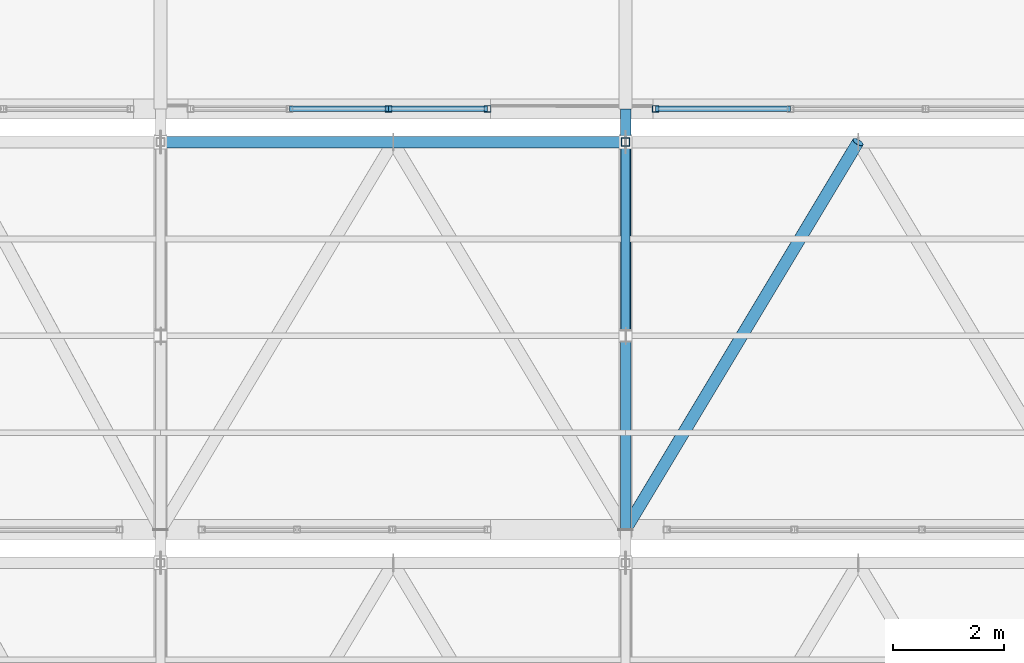
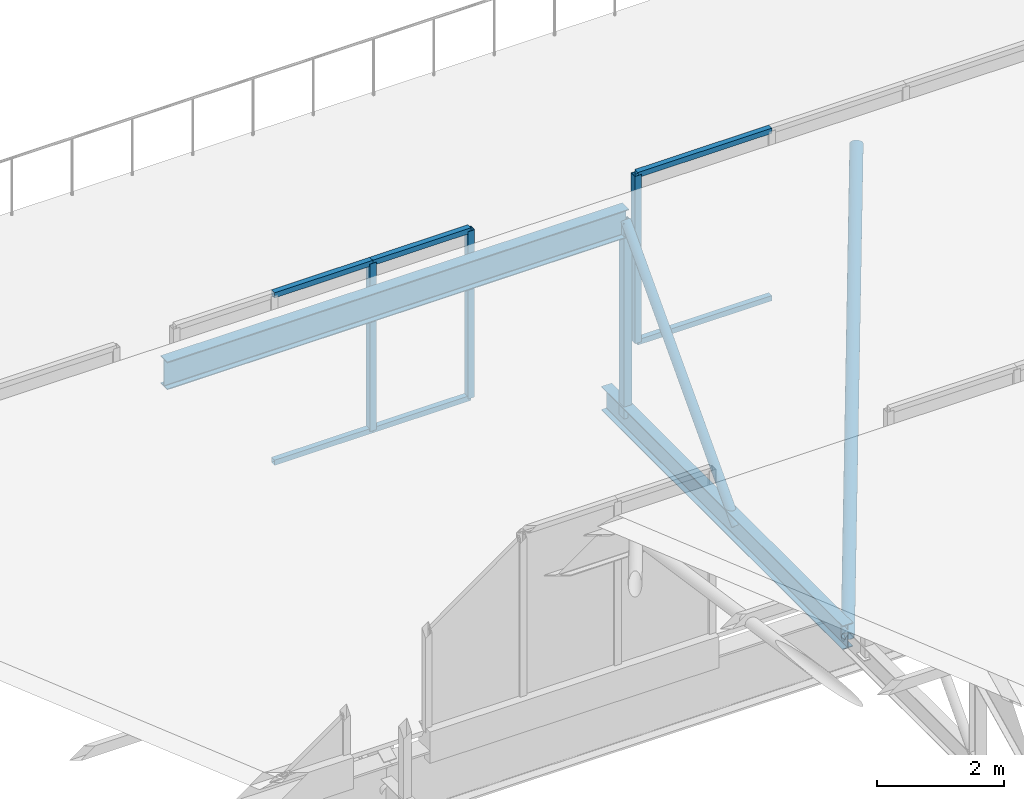
# One storey, part 20 of 57: 14 members, 2 elements without a shape of their own.
"""IFC4 building model written with IfcOpenShell, lengths in metres."""

from ifc_helpers import new_model, si_unit, direction, frame, origin, origin_2d, place, context, subcontext, project, spatial, hollow_rectangle, hollow_circle, i_section, extrude, material, material_profile, profile_set, type_object, element, aggregate, save


model = new_model("IFC4")

# Units and contexts
model_context = context("Model", 3, precision=1e-05, world=origin(), true_north=direction((0.0, 1.0)))
body_context = subcontext(model_context, "Body", "Model", "MODEL_VIEW")
ifc_project = project(units=[si_unit("LENGTHUNIT", "METRE"), si_unit("AREAUNIT", "SQUARE_METRE"), si_unit("VOLUMEUNIT", "CUBIC_METRE"), si_unit("PLANEANGLEUNIT", "RADIAN"), si_unit("MASSUNIT", "GRAM", prefix="KILO")], contexts=[model_context])

# Site, building, storey
site_placement = place(None, origin())
site = spatial("IfcSite", under=ifc_project, at=site_placement, CompositionType="ELEMENT")
building_placement = place(site_placement, origin())
building = spatial("IfcBuilding", under=site, at=building_placement, Name="Zuvorla Pavilion Media Centre", CompositionType="ELEMENT")
storey_placement = place(building_placement, frame((0.0, 0.0, 18.0)))
storey = spatial("IfcBuildingStorey", under=building, at=storey_placement, Name="L04", CompositionType="ELEMENT", Elevation=18.0)

# Curtain wall, members
ifc_material_1 = material(Name="Unitised anodised aluminium and solar glass curtain wall", Category="aluminium")
curtain_wall_type_1 = type_object("IfcCurtainWallType", Name="CW-SYS-96", PredefinedType="USERDEFINED", material=ifc_material_1)
curtain_wall_1_placement = place(storey_placement, origin())
curtain_wall_1 = element("IfcCurtainWall", 1, at=curtain_wall_1_placement, inside=storey, type_object=curtain_wall_type_1, Name="L04 curtain wall CW96 247", ObjectType="CURTAIN WALL", PredefinedType="USERDEFINED")
ifc_material_2 = material(Name="Anodised aluminium 6063-T6", Category="aluminium")
ifc_material_profile_1 = material_profile(ifc_material_2, hollow_rectangle(XDim=0.1201171875, YDim=0.1201171875, WallThickness=0.0048828125, at=origin_2d()), Name="ALU MULL 120x120")
ifc_profile_set_1 = profile_set([ifc_material_profile_1], Name="Anodised aluminium 6063-T6")
member_type_1 = type_object("IfcMemberType", Name="CW-MULL-120", PredefinedType="MULLION", material=ifc_profile_set_1)
member_1_placement = place(storey_placement, frame((129.71875, 44.0, 0.0), z_axis=(0.0, 0.0, 1.0), x_axis=(1.0, 0.0, 0.0)))
member_1 = element("IfcMember", 2, at=member_1_placement, type_object=member_type_1, Name="CW96 mullion 3", PredefinedType="MULLION", context=body_context, shape_type="SweptSolid", body=[
    extrude(hollow_rectangle(XDim=0.1201171875, YDim=0.1201171875, WallThickness=0.0048828125, at=origin_2d()), origin(), (0.0, 0.0, 1.0), 3.219970703125),
])
member_2_placement = place(storey_placement, frame((131.506591796875, 44.0, 0.0), z_axis=(0.0, 0.0, 1.0), x_axis=(1.0, 0.0, 0.0)))
member_2 = element("IfcMember", 3, at=member_2_placement, type_object=member_type_1, Name="CW96 mullion 4", PredefinedType="MULLION", context=body_context, shape_type="SweptSolid", body=[
    extrude(hollow_rectangle(XDim=0.1201171875, YDim=0.1201171875, WallThickness=0.0048828125, at=origin_2d()), origin(), (0.0, 0.0, 1.0), 3.219970703125),
])

# Curtain wall, member
curtain_wall_type_2 = type_object("IfcCurtainWallType", Name="CW-SYS-97", PredefinedType="USERDEFINED", material=ifc_material_1)
curtain_wall_2_placement = place(storey_placement, origin())
curtain_wall_2 = element("IfcCurtainWall", 4, at=curtain_wall_2_placement, inside=storey, type_object=curtain_wall_type_2, Name="L04 curtain wall CW97 248", ObjectType="CURTAIN WALL", PredefinedType="USERDEFINED")
member_3_placement = place(storey_placement, frame((134.542724609375, 44.0, 0.0), z_axis=(0.0, 0.0, 1.0), x_axis=(1.0, 0.0, 0.0)))
member_3 = element("IfcMember", 5, at=member_3_placement, type_object=member_type_1, Name="CW97 mullion 1", PredefinedType="MULLION", context=body_context, shape_type="SweptSolid", body=[
    extrude(hollow_rectangle(XDim=0.1201171875, YDim=0.1201171875, WallThickness=0.0048828125, at=origin_2d()), origin(), (0.0, 0.0, 1.0), 3.219970703125),
])

# Member
ifc_material_profile_2 = material_profile(ifc_material_2, hollow_rectangle(XDim=0.10009765625, YDim=0.10009765625, WallThickness=0.00439453125, at=origin_2d()), Name="ALU TRAN 100x100")
ifc_profile_set_2 = profile_set([ifc_material_profile_2], Name="Anodised aluminium 6063-T6")
member_type_2 = type_object("IfcMemberType", Name="CW-TRAN-100", PredefinedType="USERDEFINED", material=ifc_profile_set_2)
member_4_placement = place(storey_placement, frame((127.9306640625, 44.0, 0.0), z_axis=(1.0, 0.0, 0.0), x_axis=(0.0, 1.0, 0.0)))
member_4 = element("IfcMember", 6, at=member_4_placement, type_object=member_type_2, Name="CW96 transom 2.1", ObjectType="TRANSOM", PredefinedType="USERDEFINED", context=body_context, shape_type="SweptSolid", body=[
    extrude(hollow_rectangle(XDim=0.10009765625, YDim=0.10009765625, WallThickness=0.00439453125, at=origin_2d()), origin(), (0.0, 0.0, 1.0), 1.7880859375),
])

member_5_placement = place(storey_placement, frame((127.9306640625, 44.0, 3.219970703125), z_axis=(1.0, 0.0, 0.0), x_axis=(0.0, 1.0, 0.0)))
member_5 = element("IfcMember", 7, at=member_5_placement, type_object=member_type_2, Name="CW96 transom 2.2", ObjectType="TRANSOM", PredefinedType="USERDEFINED", context=body_context, shape_type="SweptSolid", body=[
    extrude(hollow_rectangle(XDim=0.10009765625, YDim=0.10009765625, WallThickness=0.00439453125, at=origin_2d()), origin(), (0.0, 0.0, 1.0), 1.7880859375),
])

member_6_placement = place(storey_placement, frame((129.71875, 44.0, 0.0), z_axis=(1.0, 0.0, 0.0), x_axis=(0.0, 1.0, 0.0)))
member_6 = element("IfcMember", 8, at=member_6_placement, type_object=member_type_2, Name="CW96 transom 3.1", ObjectType="TRANSOM", PredefinedType="USERDEFINED", context=body_context, shape_type="SweptSolid", body=[
    extrude(hollow_rectangle(XDim=0.10009765625, YDim=0.10009765625, WallThickness=0.00439453125, at=origin_2d()), origin(), (0.0, 0.0, 1.0), 1.787841796875),
])

member_7_placement = place(storey_placement, frame((129.71875, 44.0, 3.219970703125), z_axis=(1.0, 0.0, 0.0), x_axis=(0.0, 1.0, 0.0)))
member_7 = element("IfcMember", 9, at=member_7_placement, type_object=member_type_2, Name="CW96 transom 3.2", ObjectType="TRANSOM", PredefinedType="USERDEFINED", context=body_context, shape_type="SweptSolid", body=[
    extrude(hollow_rectangle(XDim=0.10009765625, YDim=0.10009765625, WallThickness=0.00439453125, at=origin_2d()), origin(), (0.0, 0.0, 1.0), 1.787841796875),
])

aggregate(curtain_wall_1, [member_1, member_2, member_4, member_5, member_6, member_7])

member_8_placement = place(storey_placement, frame((134.542724609375, 44.0, 0.0), z_axis=(1.0, 0.0, 0.0), x_axis=(0.0, 1.0, 0.0)))
member_8 = element("IfcMember", 10, at=member_8_placement, type_object=member_type_2, Name="CW97 transom 1.1", ObjectType="TRANSOM", PredefinedType="USERDEFINED", context=body_context, shape_type="SweptSolid", body=[
    extrude(hollow_rectangle(XDim=0.10009765625, YDim=0.10009765625, WallThickness=0.00439453125, at=origin_2d()), origin(), (0.0, 0.0, 1.0), 2.438232421875),
])

member_9_placement = place(storey_placement, frame((134.542724609375, 44.0, 3.219970703125), z_axis=(1.0, 0.0, 0.0), x_axis=(0.0, 1.0, 0.0)))
member_9 = element("IfcMember", 11, at=member_9_placement, type_object=member_type_2, Name="CW97 transom 1.2", ObjectType="TRANSOM", PredefinedType="USERDEFINED", context=body_context, shape_type="SweptSolid", body=[
    extrude(hollow_rectangle(XDim=0.10009765625, YDim=0.10009765625, WallThickness=0.00439453125, at=origin_2d()), origin(), (0.0, 0.0, 1.0), 2.438232421875),
])

aggregate(curtain_wall_2, [member_3, member_8, member_9])

# Members
ifc_material_3 = material(Name="Steel S355", Category="steel")
ifc_material_profile_3 = material_profile(ifc_material_3, hollow_circle(Radius=0.084228515625, WallThickness=0.008056640625, at=origin_2d()), Name="CHS 168.3x8")
ifc_profile_set_3 = profile_set([ifc_material_profile_3], Name="Steel S355")
member_type_3 = type_object("IfcMemberType", Name="MEM-BRC-CHS168", PredefinedType="BRACE", material=ifc_profile_set_3)
member_10_placement = place(storey_placement, frame((134.0, 39.89990234375, -0.8798828125), z_axis=(0.0, 0.681156069412, 0.732138244529), x_axis=(-1.0, 0.0, 0.0)))
element("IfcMember", 12, at=member_10_placement, inside=storey, type_object=member_type_3, Name="L04 diagonal brace TB03 751", PredefinedType="BRACE", context=body_context, shape_type="SweptSolid", body=[
    extrude(hollow_circle(Radius=0.084228515625, WallThickness=0.008056640625, at=origin_2d()), origin(), (0.0, 0.0, 1.0), 5.138427734375),
])
ifc_material_profile_4 = material_profile(ifc_material_3, hollow_circle(Radius=0.109619140625, WallThickness=0.010009765625, at=origin_2d()), Name="CHS 219.1x10")
ifc_profile_set_4 = profile_set([ifc_material_profile_4], Name="Steel S355")
member_type_4 = type_object("IfcMemberType", Name="MEM-BRC-CHS219", PredefinedType="BRACE", material=ifc_profile_set_4)
member_11_placement = place(storey_placement, frame((134.0, 36.39990234375, -0.8798828125), z_axis=(0.46726169892, 0.778778552081, 0.418533716135), x_axis=(-0.857495564561, 0.514491357322, 0.0)))
element("IfcMember", 13, at=member_11_placement, inside=storey, type_object=member_type_4, Name="L04 diagonal brace TB02 781", PredefinedType="BRACE", context=body_context, shape_type="SweptSolid", body=[
    extrude(hollow_circle(Radius=0.109619140625, WallThickness=0.010009765625, at=origin_2d()), origin(), (0.0, 0.0, 1.0), 8.988525390625),
])
ifc_material_profile_5 = material_profile(ifc_material_3, i_section(OverallWidth=0.19140625, OverallDepth=0.4599609375, WebThickness=0.010009765625, FlangeThickness=0.01611328125, FilletRadius=0.01025390625, at=origin_2d()), Name="UB 457x191x82")
ifc_profile_set_5 = profile_set([ifc_material_profile_5], Name="Steel S355")
member_type_5 = type_object("IfcMemberType", Name="MEM-CHD-UB457", PredefinedType="CHORD", material=ifc_profile_set_5)
member_12_placement = place(storey_placement, frame((134.0, 36.39990234375, -0.8798828125), z_axis=(0.0, 1.0, 0.0), x_axis=(-1.0, 0.0, 0.0)))
element("IfcMember", 14, at=member_12_placement, inside=storey, type_object=member_type_5, Name="L04 chord TC03 748", PredefinedType="CHORD", context=body_context, shape_type="SweptSolid", body=[
    extrude(i_section(OverallWidth=0.19140625, OverallDepth=0.4599609375, WebThickness=0.010009765625, FlangeThickness=0.01611328125, FilletRadius=0.01025390625, at=origin_2d()), origin(), (0.0, 0.0, 1.0), 7.60009765625),
])
ifc_material_profile_6 = material_profile(ifc_material_3, i_section(OverallWidth=0.2099609375, OverallDepth=0.53662109375, WebThickness=0.0107421875, FlangeThickness=0.017333984375, FilletRadius=0.0126953125, at=origin_2d()), Name="UB 533x210x101")
ifc_profile_set_6 = profile_set([ifc_material_profile_6], Name="Steel S355")
member_type_6 = type_object("IfcMemberType", Name="MEM-CHD-UB533", PredefinedType="CHORD", material=ifc_profile_set_6)
member_13_placement = place(storey_placement, frame((125.60009765625, 43.39990234375, 2.882080078125), z_axis=(1.0, 0.0, 0.0), x_axis=(0.0, 1.0, 0.0)))
element("IfcMember", 15, at=member_13_placement, inside=storey, type_object=member_type_6, Name="L04 chord TC02 774", PredefinedType="CHORD", context=body_context, shape_type="SweptSolid", body=[
    extrude(i_section(OverallWidth=0.2099609375, OverallDepth=0.53662109375, WebThickness=0.0107421875, FlangeThickness=0.017333984375, FilletRadius=0.0126953125, at=origin_2d()), origin(), (0.0, 0.0, 1.0), 8.39990234375),
])
ifc_material_profile_7 = material_profile(ifc_material_3, hollow_rectangle(XDim=0.14990234375, YDim=0.14990234375, WallThickness=0.008056640625, at=origin_2d()), Name="SHS 150x150x8")
ifc_profile_set_7 = profile_set([ifc_material_profile_7], Name="Steel S355")
member_type_7 = type_object("IfcMemberType", Name="MEM-STR-SHS150", PredefinedType="STRUT", material=ifc_profile_set_7)
member_14_placement = place(storey_placement, frame((134.0, 43.39990234375, -0.8798828125), z_axis=(0.0, 0.0, 1.0), x_axis=(1.0, 0.0, 0.0)))
element("IfcMember", 16, at=member_14_placement, inside=storey, type_object=member_type_7, Name="L04 vertical strut TS01 750", PredefinedType="STRUT", context=body_context, shape_type="SweptSolid", body=[
    extrude(hollow_rectangle(XDim=0.14990234375, YDim=0.14990234375, WallThickness=0.008056640625, at=origin_2d()), origin(), (0.0, 0.0, 1.0), 3.761962890625),
])

save(model, "model.ifc")
